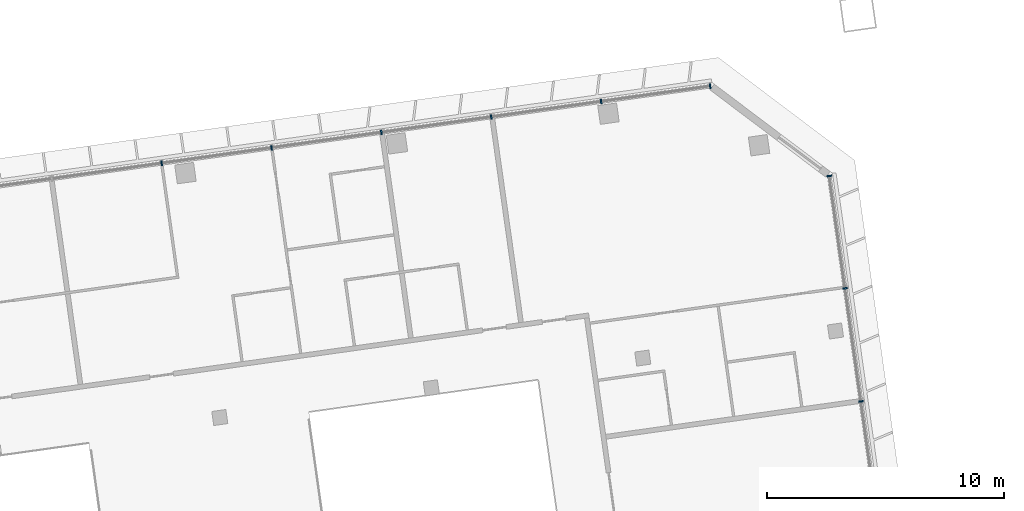
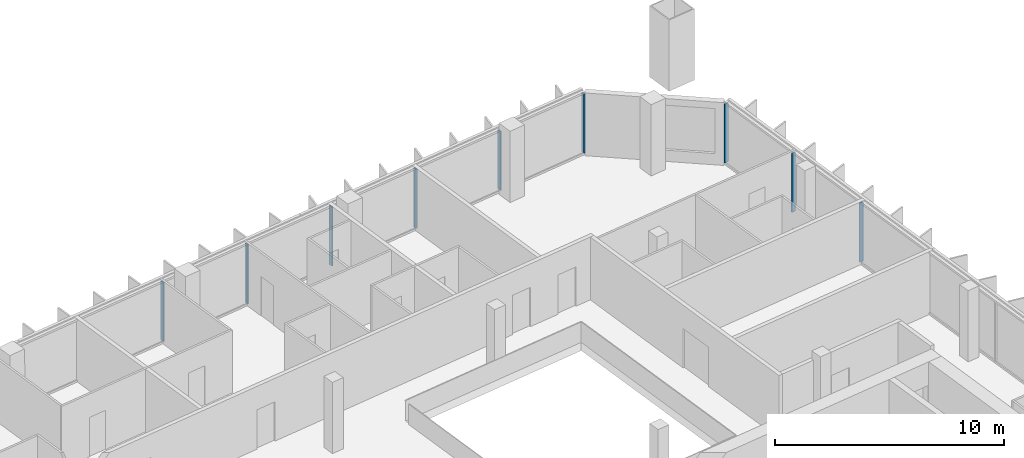
# One storey, part 11 of 22: 9 members, 2 elements without a shape of their own.
"""IFC4 building model written with IfcOpenShell, lengths in metres."""

from ifc_helpers import new_model, si_unit, direction, frame, origin, origin_2d, place, context, subcontext, project, spatial, rectangle, extrude, material, material_profile, profile_set, type_object, element, aggregate, save


model = new_model("IFC4")

# Units and contexts
model_context = context("Model", 3, precision=1e-05, world=origin(), true_north=direction((0.0, 1.0)))
body_context = subcontext(model_context, "Body", "Model", "MODEL_VIEW")
ifc_project = project(units=[si_unit("LENGTHUNIT", "METRE"), si_unit("AREAUNIT", "SQUARE_METRE"), si_unit("VOLUMEUNIT", "CUBIC_METRE"), si_unit("PLANEANGLEUNIT", "RADIAN"), si_unit("MASSUNIT", "GRAM", prefix="KILO")], contexts=[model_context])

# Site, building, storey
site_placement = place(None, origin())
site = spatial("IfcSite", under=ifc_project, at=site_placement, CompositionType="ELEMENT")
building_placement = place(site_placement, origin())
building = spatial("IfcBuilding", under=site, at=building_placement, Name="Mirante Cascada Hotel Towers", CompositionType="ELEMENT")
storey_placement = place(building_placement, frame((0.0, 0.0, 191.6)))
storey = spatial("IfcBuildingStorey", under=building, at=storey_placement, Name="L45", CompositionType="ELEMENT", Elevation=191.6)

# Curtain wall, members
ifc_material_1 = material(Name="Aluminium mullion and transom frame with clear laminated glass", Category="aluminium")
curtain_wall_type_1 = type_object("IfcCurtainWallType", Name="Ribbon curtain wall ECW1", PredefinedType="NOTDEFINED", material=ifc_material_1)
curtain_wall_1_placement = place(storey_placement, origin())
curtain_wall_1 = element("IfcCurtainWall", 1, at=curtain_wall_1_placement, inside=storey, type_object=curtain_wall_type_1, Name="Front ribbon wall T2 L45", PredefinedType="NOTDEFINED")
ifc_material_2 = material(Name="Anodised aluminium extrusion", Category="aluminium")
ifc_material_profile_1 = material_profile(ifc_material_2, rectangle(XDim=0.2, YDim=0.065, at=origin_2d()), Name="ECW1 MULLION 65x200")
ifc_profile_set_1 = profile_set([ifc_material_profile_1], Name="Anodised aluminium extrusion")
member_type_1 = type_object("IfcMemberType", Name="ECW1 mullion 65x200", PredefinedType="MULLION", material=ifc_profile_set_1)
member_1_placement = place(storey_placement, frame((76.3011, 23.5425, 0.1), z_axis=(0.0, 0.0, 1.0), x_axis=(0.1391731, -0.9902681, 0.0)))
member_1 = element("IfcMember", 2, at=member_1_placement, type_object=member_type_1, Name="ECW1 mullion 1", PredefinedType="MULLION", context=body_context, shape_type="SweptSolid", body=[
    extrude(rectangle(XDim=0.2, YDim=0.065, at=origin_2d()), origin(), (0.0, 0.0, 1.0), 3.15),
])
member_2_placement = place(storey_placement, frame((71.7043, 22.8964, 0.1), z_axis=(0.0, 0.0, 1.0), x_axis=(0.1391731, -0.9902681, 0.0)))
member_2 = element("IfcMember", 3, at=member_2_placement, type_object=member_type_1, Name="ECW1 mullion 2", PredefinedType="MULLION", context=body_context, shape_type="SweptSolid", body=[
    extrude(rectangle(XDim=0.2, YDim=0.065, at=origin_2d()), origin(), (0.0, 0.0, 1.0), 3.15),
])
member_3_placement = place(storey_placement, frame((67.0753, 22.2459, 0.1), z_axis=(0.0, 0.0, 1.0), x_axis=(0.1391731, -0.9902681, 0.0)))
member_3 = element("IfcMember", 4, at=member_3_placement, type_object=member_type_1, Name="ECW1 mullion 3", PredefinedType="MULLION", context=body_context, shape_type="SweptSolid", body=[
    extrude(rectangle(XDim=0.2, YDim=0.065, at=origin_2d()), origin(), (0.0, 0.0, 1.0), 3.15),
])
member_4_placement = place(storey_placement, frame((62.4464, 21.5953, 0.1), z_axis=(0.0, 0.0, 1.0), x_axis=(0.1391731, -0.9902681, 0.0)))
member_4 = element("IfcMember", 5, at=member_4_placement, type_object=member_type_1, Name="ECW1 mullion 4", PredefinedType="MULLION", context=body_context, shape_type="SweptSolid", body=[
    extrude(rectangle(XDim=0.2, YDim=0.065, at=origin_2d()), origin(), (0.0, 0.0, 1.0), 3.15),
])
member_5_placement = place(storey_placement, frame((57.8174, 20.9447, 0.1), z_axis=(0.0, 0.0, 1.0), x_axis=(0.1391731, -0.9902681, 0.0)))
member_5 = element("IfcMember", 6, at=member_5_placement, type_object=member_type_1, Name="ECW1 mullion 5", PredefinedType="MULLION", context=body_context, shape_type="SweptSolid", body=[
    extrude(rectangle(XDim=0.2, YDim=0.065, at=origin_2d()), origin(), (0.0, 0.0, 1.0), 3.15),
])
member_6_placement = place(storey_placement, frame((53.1884, 20.2942, 0.1), z_axis=(0.0, 0.0, 1.0), x_axis=(0.1391731, -0.9902681, 0.0)))
member_6 = element("IfcMember", 7, at=member_6_placement, type_object=member_type_1, Name="ECW1 mullion 6", PredefinedType="MULLION", context=body_context, shape_type="SweptSolid", body=[
    extrude(rectangle(XDim=0.2, YDim=0.065, at=origin_2d()), origin(), (0.0, 0.0, 1.0), 3.15),
])
aggregate(curtain_wall_1, [member_1, member_2, member_3, member_4, member_5, member_6])

ifc_material_3 = material(Name="Aluminium mullion and transom frame with clear laminated glass", Category="aluminium")
curtain_wall_type_2 = type_object("IfcCurtainWallType", Name="End ribbon curtain wall ECW2", PredefinedType="NOTDEFINED", material=ifc_material_3)
curtain_wall_2_placement = place(storey_placement, origin())
curtain_wall_2 = element("IfcCurtainWall", 8, at=curtain_wall_2_placement, inside=storey, type_object=curtain_wall_type_2, Name="Outer end wall T2 L45", PredefinedType="NOTDEFINED")
ifc_material_4 = material(Name="Anodised aluminium extrusion", Category="aluminium")
ifc_material_profile_2 = material_profile(ifc_material_4, rectangle(XDim=0.2, YDim=0.065, at=origin_2d()), Name="ECW2 MULLION 65x200")
ifc_profile_set_2 = profile_set([ifc_material_profile_2], Name="Anodised aluminium extrusion")
member_type_2 = type_object("IfcMemberType", Name="ECW2 mullion 65x200", PredefinedType="MULLION", material=ifc_profile_set_2)
member_7_placement = place(storey_placement, frame((82.6561, 10.2603, 0.1), z_axis=(0.0, 0.0, 1.0), x_axis=(-0.9902681, -0.1391731, 0.0)))
member_7 = element("IfcMember", 9, at=member_7_placement, type_object=member_type_2, Name="ECW2 mullion 5", PredefinedType="MULLION", context=body_context, shape_type="SweptSolid", body=[
    extrude(rectangle(XDim=0.2, YDim=0.065, at=origin_2d()), origin(), (0.0, 0.0, 1.0), 3.15),
])
member_8_placement = place(storey_placement, frame((81.9864, 15.026, 0.1), z_axis=(0.0, 0.0, 1.0), x_axis=(-0.9902681, -0.1391731, 0.0)))
member_8 = element("IfcMember", 10, at=member_8_placement, type_object=member_type_2, Name="ECW2 mullion 6", PredefinedType="MULLION", context=body_context, shape_type="SweptSolid", body=[
    extrude(rectangle(XDim=0.2, YDim=0.065, at=origin_2d()), origin(), (0.0, 0.0, 1.0), 3.15),
])
member_9_placement = place(storey_placement, frame((81.3211, 19.7596, 0.1), z_axis=(0.0, 0.0, 1.0), x_axis=(-0.9902681, -0.1391731, 0.0)))
member_9 = element("IfcMember", 11, at=member_9_placement, type_object=member_type_2, Name="ECW2 mullion 7", PredefinedType="MULLION", context=body_context, shape_type="SweptSolid", body=[
    extrude(rectangle(XDim=0.2, YDim=0.065, at=origin_2d()), origin(), (0.0, 0.0, 1.0), 3.15),
])
aggregate(curtain_wall_2, [member_7, member_8, member_9])

save(model, "model.ifc")
